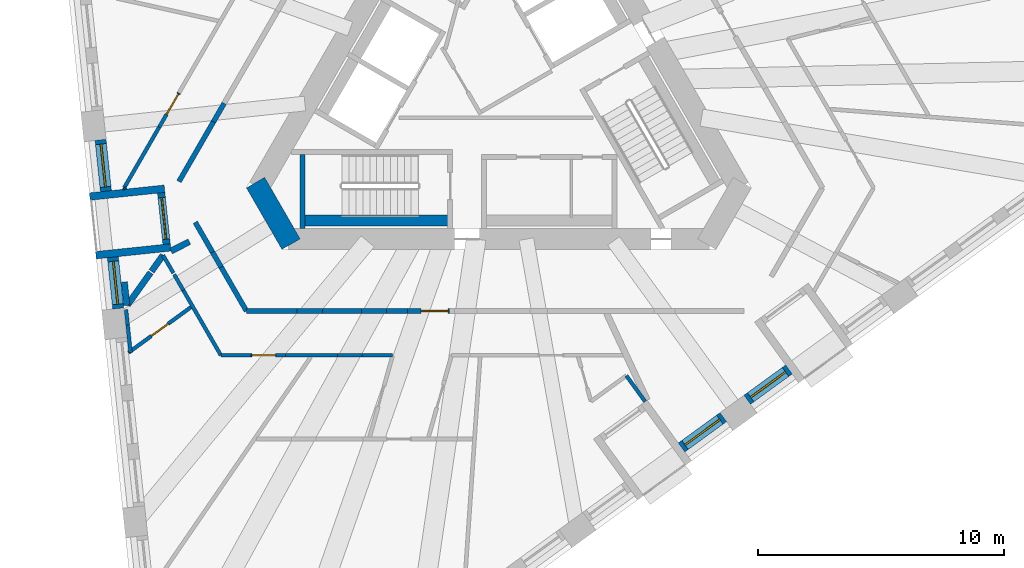
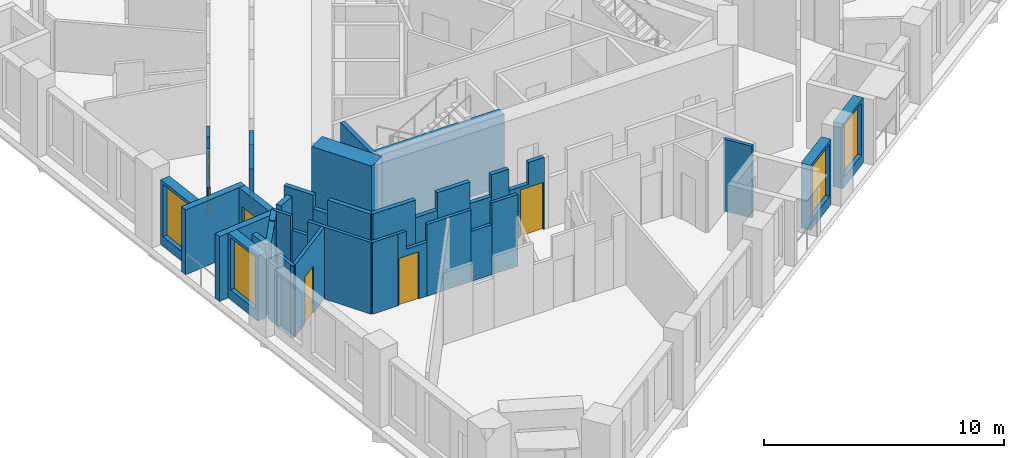
# One storey, part 3 of 14: 40 walls, 5 doors, 4 windows, 9 openings.
"""IFC4 building model written with IfcOpenShell, lengths in metres."""

from ifc_helpers import new_model, si_unit, direction, frame, frame_2d, origin, place, context, subcontext, project, spatial, polyline, rectangle, outline, extrude, material, layer, layer_set, type_object, element, fill, save


model = new_model("IFC4")

# Units and contexts
model_context = context("Model", 3, precision=1e-05, world=origin(), true_north=direction((0.0, 1.0)))
body_context = subcontext(model_context, "Body", "Model", "MODEL_VIEW")
ifc_project = project(units=[si_unit("LENGTHUNIT", "METRE"), si_unit("AREAUNIT", "SQUARE_METRE"), si_unit("VOLUMEUNIT", "CUBIC_METRE"), si_unit("PLANEANGLEUNIT", "RADIAN"), si_unit("MASSUNIT", "GRAM", prefix="KILO")], contexts=[model_context])

# Site, building, storey
site_placement = place(None, origin())
site = spatial("IfcSite", under=ifc_project, at=site_placement, CompositionType="ELEMENT")
building_placement = place(site_placement, origin())
building = spatial("IfcBuilding", under=site, at=building_placement, Name="Tramontana Tower", CompositionType="ELEMENT")
storey_placement = place(building_placement, frame((0.0, 0.0, 178.800048828125)))
storey = spatial("IfcBuildingStorey", under=building, at=storey_placement, Name="L41", CompositionType="ELEMENT", Elevation=178.800048828125)

# Wall
ifc_material_1 = material(Name="Concrete 70 MPa", Category="concrete")
ifc_layer_1 = layer(ifc_material_1, 0.85009765625)
ifc_layer_set_1 = layer_set([ifc_layer_1], Name="Core wall 850 70 MPa")
wall_type_1 = type_object("IfcWallType", Name="Core wall 850 70 MPa", PredefinedType="SHEAR", material=ifc_layer_set_1)
wall_1_placement = place(storey_placement, frame((-9.8798828125, -4.03759765625, 0.0), z_axis=(0.0, 0.0, 1.0), x_axis=(0.499995765644, -0.866027848477, 0.0)))
element("IfcWall", 1, at=wall_1_placement, inside=storey, type_object=wall_type_1, Name="Core wall C2 L41", PredefinedType="SHEAR", context=body_context, shape_type="SweptSolid", body=[
    extrude(rectangle(XDim=2.88671875, YDim=0.85009765625, at=frame_2d((1.443359375, 0.0))), origin(), (0.0, 0.0, 1.0), 4.0),
])

# Wall, opening, door
ifc_material_2 = material(Name="Blockwork", Category="masonry")
ifc_layer_2 = layer(ifc_material_2, 0.199951171875)
ifc_layer_set_2 = layer_set([ifc_layer_2], Name="ENTRY WALL 200")
wall_type_2 = type_object("IfcWallType", Name="ENTRY WALL 200", PredefinedType="SOLIDWALL", material=ifc_layer_set_2)
wall_2_placement = place(storey_placement, frame((-2.009033203125, -9.25, 0.0), z_axis=(0.0, 0.0, 1.0), x_axis=(-1.0, 0.0, 0.0)))
wall_2 = element("IfcWall", 2, at=wall_2_placement, inside=storey, type_object=wall_type_2, Name="Wall v41-ew2-7", PredefinedType="SOLIDWALL", context=body_context, shape_type="SweptSolid", body=[
    extrude(outline(polyline([(0.0, 0.0), (1.7041015625, 0.0), (1.7041015625, 2.550048828125), (0.750732421875, 2.550048828125), (0.750732421875, 3.64990234375), (0.0, 3.64990234375), (0.0, 0.0)])), frame((0.0, 0.10009765625, 0.0), z_axis=(0.0, -1.0, 0.0), x_axis=(1.0, 0.0, 0.0)), (0.0, 0.0, 1.0), 0.199951171875),
])
opening_1_placement = place(wall_2_placement, frame((0.050048828125, 0.0, 0.0)))
opening_1 = element("IfcOpeningElement", 3, at=opening_1_placement, cuts=wall_2, Name="Opening B4B-25", PredefinedType="OPENING", context=body_context, shape_type="SweptSolid", body=[
    extrude(rectangle(XDim=1.10009765625, YDim=2.39990234375, at=frame_2d((0.550048828125, 1.199951171875))), frame((0.0, 0.10986328125, 0.0), z_axis=(0.0, -1.0, 0.0), x_axis=(1.0, 0.0, 0.0)), (0.0, 0.0, 1.0), 0.219970703125),
])
ifc_material_3 = material(Name="Painted timber", Category="wood")
door_type_1 = type_object("IfcDoorType", Name="DOOR ENTRY 1100", OperationType="SINGLE_SWING_LEFT", PredefinedType="DOOR", material=ifc_material_3)
door_1_placement = place(opening_1_placement, origin())
door_1 = element("IfcDoor", 4, at=door_1_placement, inside=storey, type_object=door_type_1, Name="Door B4B-25", OperationType="SINGLE_SWING_LEFT", OverallHeight=2.39990234375, OverallWidth=1.10009765625, PredefinedType="DOOR", context=body_context, shape_type="SweptSolid", body=[
    extrude(rectangle(XDim=1.10009765625, YDim=2.39990234375, at=frame_2d((0.550048828125, 1.199951171875))), frame((0.0, 0.02490234375, 0.0), z_axis=(0.0, -1.0, 0.0), x_axis=(1.0, 0.0, 0.0)), (0.0, 0.0, 1.0), 0.050048828125),
])
fill(opening_1, door_1)

# Walls
wall_3_placement = place(storey_placement, frame((-3.713134765625, -9.25, 0.0), z_axis=(0.0, 0.0, 1.0), x_axis=(-1.0, 0.0, 0.0)))
element("IfcWall", 5, at=wall_3_placement, inside=storey, type_object=wall_type_2, Name="Wall v41-ew2-8", PredefinedType="SOLIDWALL", context=body_context, shape_type="SweptSolid", body=[
    extrude(rectangle(XDim=0.84130859375, YDim=0.199951171875, at=frame_2d((0.420654296875, 0.0))), origin(), (0.0, 0.0, 1.0), 3.64990234375),
])
wall_4_placement = place(storey_placement, frame((-4.554443359375, -9.25, 0.0), z_axis=(0.0, 0.0, 1.0), x_axis=(-1.0, 0.0, 0.0)))
element("IfcWall", 6, at=wall_4_placement, inside=storey, type_object=wall_type_2, Name="Wall v41-ew2-9", PredefinedType="SOLIDWALL", context=body_context, shape_type="SweptSolid", body=[
    extrude(rectangle(XDim=1.026123046875, YDim=0.199951171875, at=frame_2d((0.51318359375, 0.0))), origin(), (0.0, 0.0, 1.0), 2.550048828125),
])
wall_5_placement = place(storey_placement, frame((-5.58056640625, -9.25, 0.0), z_axis=(0.0, 0.0, 1.0), x_axis=(-1.0, 0.0, 0.0)))
element("IfcWall", 7, at=wall_5_placement, inside=storey, type_object=wall_type_2, Name="Wall v41-ew2-10", PredefinedType="SOLIDWALL", context=body_context, shape_type="SweptSolid", body=[
    extrude(rectangle(XDim=1.57177734375, YDim=0.199951171875, at=frame_2d((0.785888671875, 0.0))), origin(), (0.0, 0.0, 1.0), 3.64990234375),
])
wall_6_placement = place(storey_placement, frame((-7.15234375, -9.25, 0.0), z_axis=(0.0, 0.0, 1.0), x_axis=(-1.0, 0.0, 0.0)))
element("IfcWall", 8, at=wall_6_placement, inside=storey, type_object=wall_type_2, Name="Wall v41-ew2-11", PredefinedType="SOLIDWALL", context=body_context, shape_type="SweptSolid", body=[
    extrude(rectangle(XDim=1.039306640625, YDim=0.199951171875, at=frame_2d((0.51953125, 0.0))), origin(), (0.0, 0.0, 1.0), 2.75),
])
wall_7_placement = place(storey_placement, frame((-8.191650390625, -9.25, 0.0), z_axis=(0.0, 0.0, 1.0), x_axis=(-1.0, 0.0, 0.0)))
element("IfcWall", 9, at=wall_7_placement, inside=storey, type_object=wall_type_2, Name="Wall v41-ew2-12", PredefinedType="SOLIDWALL", context=body_context, shape_type="SweptSolid", body=[
    extrude(rectangle(XDim=2.056396484375, YDim=0.199951171875, at=frame_2d((1.0283203125, 0.0))), origin(), (0.0, 0.0, 1.0), 3.64990234375),
])
wall_8_placement = place(storey_placement, frame((-10.248046875, -9.25, 0.0), z_axis=(0.0, 0.0, 1.0), x_axis=(-0.499941542975, 0.866059151333, 0.0)))
element("IfcWall", 10, at=wall_8_placement, inside=storey, type_object=wall_type_2, Name="Wall v41-ew3-0", PredefinedType="SOLIDWALL", context=body_context, shape_type="SweptSolid", body=[
    extrude(rectangle(XDim=2.057861328125, YDim=0.199951171875, at=frame_2d((1.02880859375, 0.0))), origin(), (0.0, 0.0, 1.0), 3.64990234375),
])
wall_9_placement = place(storey_placement, frame((-11.27685546875, -7.4677734375, 0.0), z_axis=(0.0, 0.0, 1.0), x_axis=(-0.50022532796, 0.865895271535, 0.0)))
element("IfcWall", 11, at=wall_9_placement, inside=storey, type_object=wall_type_2, Name="Wall v41-ew3-1", PredefinedType="SOLIDWALL", context=body_context, shape_type="SweptSolid", body=[
    extrude(rectangle(XDim=0.700439453125, YDim=0.199951171875, at=frame_2d((0.35009765625, 0.0))), origin(), (0.0, 0.0, 1.0), 2.949951171875),
])
wall_10_placement = place(storey_placement, frame((-11.627197265625, -6.861328125, 0.0), z_axis=(0.0, 0.0, 1.0), x_axis=(-0.49998411664, 0.866034573852, 0.0)))
element("IfcWall", 12, at=wall_10_placement, inside=storey, type_object=wall_type_2, Name="Wall v41-ew3-2", PredefinedType="SOLIDWALL", context=body_context, shape_type="SweptSolid", body=[
    extrude(rectangle(XDim=1.39990234375, YDim=0.199951171875, at=frame_2d((0.699951171875, 0.0))), origin(), (0.0, 0.0, 1.0), 3.64990234375),
])
wall_11_placement = place(storey_placement, frame((-12.986572265625, -3.993408203125, 0.0), z_axis=(0.0, 0.0, 1.0), x_axis=(0.499976698542, 0.86603885647, 0.0)))
element("IfcWall", 13, at=wall_11_placement, inside=storey, type_object=wall_type_2, Name="Wall v41-ew4-0", PredefinedType="SOLIDWALL", context=body_context, shape_type="SweptSolid", body=[
    extrude(rectangle(XDim=2.798583984375, YDim=0.199951171875, at=frame_2d((1.3994140625, 0.0))), origin(), (0.0, 0.0, 1.0), 3.64990234375),
])
wall_12_placement = place(storey_placement, frame((-11.58740234375, -1.56982421875, 0.0), z_axis=(0.0, 0.0, 1.0), x_axis=(0.500023708017, 0.866011715522, 0.0)))
element("IfcWall", 14, at=wall_12_placement, inside=storey, type_object=wall_type_2, Name="Wall v41-ew4-1", PredefinedType="SOLIDWALL", context=body_context, shape_type="SweptSolid", body=[
    extrude(rectangle(XDim=0.865234375, YDim=0.199951171875, at=frame_2d((0.4326171875, 0.0))), origin(), (0.0, 0.0, 1.0), 2.949951171875),
])

# Wall, opening, window
ifc_material_4 = material(Name="Precast concrete 60 MPa", Category="concrete")
ifc_layer_3 = layer(ifc_material_4, 0.449951171875)
ifc_layer_set_3 = layer_set([ifc_layer_3], Name="Precast concrete 60 MPa, 450 mm")
wall_type_3 = type_object("IfcWallType", Name="EW1 Stone-faced precast wall 450", PredefinedType="SOLIDWALL", material=ifc_layer_set_3)
wall_13_placement = place(storey_placement, frame((-16.1728515625, -2.30322265625, 0.0), z_axis=(0.0, 0.0, 1.0), x_axis=(0.104569484464, -0.994517583011, 0.0)))
wall_13 = element("IfcWall", 15, at=wall_13_placement, inside=storey, type_object=wall_type_3, Name="External wall L41 face 0 bay 4", PredefinedType="SOLIDWALL", context=body_context, shape_type="SweptSolid", body=[
    extrude(rectangle(XDim=2.09423828125, YDim=0.449951171875, at=frame_2d((1.047119140625, 0.0))), origin(), (0.0, 0.0, 1.0), 3.300048828125),
])
opening_2_placement = place(wall_13_placement, frame((0.172119140625, 0.0, 0.5)))
opening_2 = element("IfcOpeningElement", 16, at=opening_2_placement, cuts=wall_13, Name="Opening M2", PredefinedType="OPENING", context=body_context, shape_type="SweptSolid", body=[
    extrude(rectangle(XDim=1.75, YDim=2.64990234375, at=frame_2d((0.875, 1.324951171875))), frame((0.0, 0.23486328125, 0.0), z_axis=(0.0, -1.0, 0.0), x_axis=(1.0, 0.0, 0.0)), (0.0, 0.0, 1.0), 0.469970703125),
])
ifc_material_5 = material(Name="Aluminum frame, double glazing unit", Category="aluminium")
window_type = type_object("IfcWindowType", Name="M2 Window 1.75 x 2.65", PartitioningType="SINGLE_PANEL", PredefinedType="WINDOW", material=ifc_material_5)
window_1_placement = place(opening_2_placement, origin())
window_1 = element("IfcWindow", 17, at=window_1_placement, inside=storey, type_object=window_type, Name="Window M2 L41 face 0 module 10", OverallHeight=2.64990234375, OverallWidth=1.75, PartitioningType="SINGLE_PANEL", PredefinedType="WINDOW", context=body_context, shape_type="SweptSolid", body=[
    extrude(rectangle(XDim=1.75, YDim=2.64990234375, at=frame_2d((0.875, 1.324951171875))), frame((0.0, 0.030029296875, 0.0), z_axis=(0.0, -1.0, 0.0), x_axis=(1.0, 0.0, 0.0)), (0.0, 0.0, 1.0), 0.06005859375),
])
fill(opening_2, window_1)

wall_14_placement = place(storey_placement, frame((-15.67236328125, -7.0654296875, 0.0), z_axis=(0.0, 0.0, 1.0), x_axis=(0.104557362307, -0.994518857532, 0.0)))
wall_14 = element("IfcWall", 18, at=wall_14_placement, inside=storey, type_object=wall_type_3, Name="External wall L41 face 0 bay 4", PredefinedType="SOLIDWALL", context=body_context, shape_type="SweptSolid", body=[
    extrude(rectangle(XDim=2.094482421875, YDim=0.449951171875, at=frame_2d((1.04736328125, 0.0))), origin(), (0.0, 0.0, 1.0), 3.300048828125),
])
opening_3_placement = place(wall_14_placement, frame((0.172119140625, 0.0, 0.5)))
opening_3 = element("IfcOpeningElement", 19, at=opening_3_placement, cuts=wall_14, Name="Opening M2", PredefinedType="OPENING", context=body_context, shape_type="SweptSolid", body=[
    extrude(rectangle(XDim=1.75, YDim=2.64990234375, at=frame_2d((0.875, 1.324951171875))), frame((0.0, 0.23486328125, 0.0), z_axis=(0.0, -1.0, 0.0), x_axis=(1.0, 0.0, 0.0)), (0.0, 0.0, 1.0), 0.469970703125),
])
window_2_placement = place(opening_3_placement, origin())
window_2 = element("IfcWindow", 20, at=window_2_placement, inside=storey, type_object=window_type, Name="Window M2 L41 face 0 module 12", OverallHeight=2.64990234375, OverallWidth=1.75, PartitioningType="SINGLE_PANEL", PredefinedType="WINDOW", context=body_context, shape_type="SweptSolid", body=[
    extrude(rectangle(XDim=1.75, YDim=2.64990234375, at=frame_2d((0.875, 1.324951171875))), frame((0.0, 0.030029296875, 0.0), z_axis=(0.0, -1.0, 0.0), x_axis=(1.0, 0.0, 0.0)), (0.0, 0.0, 1.0), 0.06005859375),
])
fill(opening_3, window_2)

wall_15_placement = place(storey_placement, frame((7.415771484375, -14.790771484375, 0.0), z_axis=(0.0, 0.0, 1.0), x_axis=(0.809028366311, 0.587769599847, 0.0)))
wall_15 = element("IfcWall", 21, at=wall_15_placement, inside=storey, type_object=wall_type_3, Name="External wall L41 face 1 bay 3", PredefinedType="SOLIDWALL", context=body_context, shape_type="SweptSolid", body=[
    extrude(rectangle(XDim=2.09423828125, YDim=0.449951171875, at=frame_2d((1.047119140625, 0.0))), origin(), (0.0, 0.0, 1.0), 3.300048828125),
])
opening_4_placement = place(wall_15_placement, frame((0.172119140625, 0.0, 0.5)))
opening_4 = element("IfcOpeningElement", 22, at=opening_4_placement, cuts=wall_15, Name="Opening M2", PredefinedType="OPENING", context=body_context, shape_type="SweptSolid", body=[
    extrude(rectangle(XDim=1.75, YDim=2.64990234375, at=frame_2d((0.875, 1.324951171875))), frame((0.0, 0.23486328125, 0.0), z_axis=(0.0, -1.0, 0.0), x_axis=(1.0, 0.0, 0.0)), (0.0, 0.0, 1.0), 0.469970703125),
])
window_3_placement = place(opening_4_placement, origin())
window_3 = element("IfcWindow", 23, at=window_3_placement, inside=storey, type_object=window_type, Name="Window M2 L41 face 1 module 9", OverallHeight=2.64990234375, OverallWidth=1.75, PartitioningType="SINGLE_PANEL", PredefinedType="WINDOW", context=body_context, shape_type="SweptSolid", body=[
    extrude(rectangle(XDim=1.75, YDim=2.64990234375, at=frame_2d((0.875, 1.324951171875))), frame((0.0, 0.030029296875, 0.0), z_axis=(0.0, -1.0, 0.0), x_axis=(1.0, 0.0, 0.0)), (0.0, 0.0, 1.0), 0.06005859375),
])
fill(opening_4, window_3)

wall_16_placement = place(storey_placement, frame((10.0810546875, -12.8544921875, 0.0), z_axis=(0.0, 0.0, 1.0), x_axis=(0.809028366311, 0.587769599847, 0.0)))
wall_16 = element("IfcWall", 24, at=wall_16_placement, inside=storey, type_object=wall_type_3, Name="External wall L41 face 1 bay 4", PredefinedType="SOLIDWALL", context=body_context, shape_type="SweptSolid", body=[
    extrude(rectangle(XDim=2.09423828125, YDim=0.449951171875, at=frame_2d((1.047119140625, 0.0))), origin(), (0.0, 0.0, 1.0), 3.300048828125),
])
opening_5_placement = place(wall_16_placement, frame((0.172119140625, 0.0, 0.5)))
opening_5 = element("IfcOpeningElement", 25, at=opening_5_placement, cuts=wall_16, Name="Opening M2", PredefinedType="OPENING", context=body_context, shape_type="SweptSolid", body=[
    extrude(rectangle(XDim=1.75, YDim=2.64990234375, at=frame_2d((0.875, 1.324951171875))), frame((0.0, 0.23486328125, 0.0), z_axis=(0.0, -1.0, 0.0), x_axis=(1.0, 0.0, 0.0)), (0.0, 0.0, 1.0), 0.469970703125),
])
window_4_placement = place(opening_5_placement, origin())
window_4 = element("IfcWindow", 26, at=window_4_placement, inside=storey, type_object=window_type, Name="Window M2 L41 face 1 module 10", OverallHeight=2.64990234375, OverallWidth=1.75, PartitioningType="SINGLE_PANEL", PredefinedType="WINDOW", context=body_context, shape_type="SweptSolid", body=[
    extrude(rectangle(XDim=1.75, YDim=2.64990234375, at=frame_2d((0.875, 1.324951171875))), frame((0.0, 0.030029296875, 0.0), z_axis=(0.0, -1.0, 0.0), x_axis=(1.0, 0.0, 0.0)), (0.0, 0.0, 1.0), 0.06005859375),
])
fill(opening_5, window_4)

# Wall, opening, door
ifc_material_6 = material(Name="Precast concrete 60 MPa", Category="concrete")
ifc_layer_4 = layer(ifc_material_6, 0.300048828125)
ifc_layer_set_4 = layer_set([ifc_layer_4], Name="LW1 Stone-faced loggia wall 300")
wall_type_4 = type_object("IfcWallType", Name="LW1 Stone-faced loggia wall 300", PredefinedType="SOLIDWALL", material=ifc_layer_set_4)
wall_17_placement = place(storey_placement, frame((-13.709716796875, -4.45166015625, 0.0), z_axis=(0.0, 0.0, 1.0), x_axis=(0.104442071108, -0.994530971756, 0.0)))
wall_17 = element("IfcWall", 27, at=wall_17_placement, inside=storey, type_object=wall_type_4, Name="Loggia wall L41 G4S0.10", PredefinedType="SOLIDWALL", context=body_context, shape_type="SweptSolid", body=[
    extrude(rectangle(XDim=2.094482421875, YDim=0.300048828125, at=frame_2d((1.04736328125, 0.0))), origin(), (0.0, 0.0, 1.0), 3.300048828125),
])
opening_6_placement = place(wall_17_placement, frame((0.197265625, 0.0, 0.0)))
opening_6 = element("IfcOpeningElement", 28, at=opening_6_placement, cuts=wall_17, Name="Opening BD-4S0-10", PredefinedType="OPENING", context=body_context, shape_type="SweptSolid", body=[
    extrude(rectangle(XDim=1.699951171875, YDim=2.449951171875, at=frame_2d((0.85009765625, 1.22509765625))), frame((0.0, 0.159912109375, 0.0), z_axis=(0.0, -1.0, 0.0), x_axis=(1.0, 0.0, 0.0)), (0.0, 0.0, 1.0), 0.320068359375),
])
ifc_material_7 = material(Name="Aluminum frame, double glazing unit", Category="aluminium")
door_type_2 = type_object("IfcDoorType", Name="BD2 Sliding door 1.7 x 2.45", OperationType="SLIDING_TO_LEFT", PredefinedType="DOOR", material=ifc_material_7)
door_2_placement = place(opening_6_placement, origin())
door_2 = element("IfcDoor", 29, at=door_2_placement, inside=storey, type_object=door_type_2, Name="Loggia door L41 G4S0.10", OperationType="SLIDING_TO_LEFT", OverallHeight=2.449951171875, OverallWidth=1.699951171875, PredefinedType="DOOR", context=body_context, shape_type="SweptSolid", body=[
    extrude(rectangle(XDim=1.699951171875, YDim=2.449951171875, at=frame_2d((0.85009765625, 1.22509765625))), frame((0.0, 0.02490234375, 0.0), z_axis=(0.0, -1.0, 0.0), x_axis=(1.0, 0.0, 0.0)), (0.0, 0.0, 1.0), 0.050048828125),
])
fill(opening_6, door_2)

# Walls
for number, where, z_axis, x_axis, name in (
    (30, (-16.609619140625, -4.605712890625, 0.0), (0.0, 0.0, 1.0), (0.994521230707, 0.104534786906, 0.0), "Loggia return L41 G4S0.10a"),
    (31, (-16.359375, -6.98681640625, 0.0), (0.0, 0.0, 1.0), (0.994521230707, 0.104534786906, 0.0), "Loggia return L41 G4S0.10b"),
):
    element("IfcWall", number, at=place(storey_placement, frame(where, z_axis=z_axis, x_axis=x_axis)), inside=storey, type_object=wall_type_4, Name=name, PredefinedType="SOLIDWALL", context=body_context, shape_type="SweptSolid", body=[
        extrude(rectangle(XDim=3.050048828125, YDim=0.300048828125, at=frame_2d((1.52490234375, 0.0))), origin(), (0.0, 0.0, 1.0), 3.300048828125),
    ])
ifc_material_8 = material(Name="Gypsum board partition")
ifc_layer_5 = layer(ifc_material_8, 0.14990234375)
ifc_layer_set_5 = layer_set([ifc_layer_5], Name="PARTITION 150")
wall_type_5 = type_object("IfcWallType", Name="PARTITION 150", PredefinedType="PARTITIONING", material=ifc_layer_set_5)
wall_18_placement = place(storey_placement, frame((-15.213134765625, -4.25, 0.0), z_axis=(0.0, 0.0, 1.0), x_axis=(0.50001992892, 0.866013897511, 0.0)))
element("IfcWall", 32, at=wall_18_placement, inside=storey, type_object=wall_type_5, Name="Wall v41-pw02-0", PredefinedType="PARTITIONING", context=body_context, shape_type="SweptSolid", body=[
    extrude(rectangle(XDim=2.841796875, YDim=0.14990234375, at=frame_2d((1.4208984375, 0.0))), origin(), (0.0, 0.0, 1.0), 3.64990234375),
])

# Wall, opening, door
wall_19_placement = place(storey_placement, frame((-13.792236328125, -1.7890625, 0.0), z_axis=(0.0, 0.0, 1.0), x_axis=(0.500011789842, 0.866018596809, 0.0)))
wall_19 = element("IfcWall", 33, at=wall_19_placement, inside=storey, type_object=wall_type_5, Name="Wall v41-pw02-1", PredefinedType="PARTITIONING", context=body_context, shape_type="SweptSolid", body=[
    extrude(outline(polyline([(0.0, 0.0), (1.60693359375, 0.0), (1.60693359375, 3.64990234375), (0.834228515625, 3.64990234375), (0.834228515625, 2.949951171875), (0.0, 2.949951171875), (0.0, 0.0)])), frame((0.0, 0.074951171875, 0.0), z_axis=(0.0, -1.0, 0.0), x_axis=(1.0, 0.0, 0.0)), (0.0, 0.0, 1.0), 0.14990234375),
])
opening_7_placement = place(wall_19_placement, frame((0.60693359375, 0.0, 0.0)))
opening_7 = element("IfcOpeningElement", 34, at=opening_7_placement, cuts=wall_19, Name="Opening B4B-05", PredefinedType="OPENING", context=body_context, shape_type="SweptSolid", body=[
    extrude(rectangle(XDim=0.949951171875, YDim=2.39990234375, at=frame_2d((0.47509765625, 1.199951171875))), frame((0.0, 0.0849609375, 0.0), z_axis=(0.0, -1.0, 0.0), x_axis=(1.0, 0.0, 0.0)), (0.0, 0.0, 1.0), 0.169921875),
])
ifc_material_9 = material(Name="Painted timber", Category="wood")
door_type_3 = type_object("IfcDoorType", Name="DOOR ROOM 950", OperationType="SINGLE_SWING_LEFT", PredefinedType="DOOR", material=ifc_material_9)
door_3_placement = place(opening_7_placement, origin())
door_3 = element("IfcDoor", 35, at=door_3_placement, inside=storey, type_object=door_type_3, Name="Door B4B-05", OperationType="SINGLE_SWING_LEFT", OverallHeight=2.39990234375, OverallWidth=0.949951171875, PredefinedType="DOOR", context=body_context, shape_type="SweptSolid", body=[
    extrude(rectangle(XDim=0.949951171875, YDim=2.39990234375, at=frame_2d((0.47509765625, 1.199951171875))), frame((0.0, 0.02490234375, 0.0), z_axis=(0.0, -1.0, 0.0), x_axis=(1.0, 0.0, 0.0)), (0.0, 0.0, 1.0), 0.050048828125),
])
fill(opening_7, door_3)

# Walls
wall_20_placement = place(storey_placement, frame((-15.181640625, -4.3046875, 0.0), z_axis=(0.0, 0.0, 1.0), x_axis=(-0.499052486836, 0.866571760088, 0.0)))
element("IfcWall", 36, at=wall_20_placement, inside=storey, type_object=wall_type_5, Name="Wall v41-pw03", PredefinedType="PARTITIONING", context=body_context, shape_type="SweptSolid", body=[
    extrude(rectangle(XDim=0.06298828125, YDim=0.14990234375, at=frame_2d((0.031494140625, 0.0))), origin(), (0.0, 0.0, 1.0), 3.64990234375),
])
wall_21_placement = place(storey_placement, frame((-14.9541015625, -10.9326171875, 0.0), z_axis=(0.0, 0.0, 1.0), x_axis=(-0.104479119457, 0.994527080374, 0.0)))
element("IfcWall", 37, at=wall_21_placement, inside=storey, type_object=wall_type_5, Name="Wall v41-pw05-0", PredefinedType="PARTITIONING", context=body_context, shape_type="SweptSolid", body=[
    extrude(rectangle(XDim=1.1123046875, YDim=0.14990234375, at=frame_2d((0.55615234375, 0.0))), origin(), (0.0, 0.0, 1.0), 3.64990234375),
])
wall_22_placement = place(storey_placement, frame((-15.0703125, -9.826416015625, 0.0), z_axis=(0.0, 0.0, 1.0), x_axis=(-0.104785422056, 0.994494854348, 0.0)))
element("IfcWall", 38, at=wall_22_placement, inside=storey, type_object=wall_type_5, Name="Wall v41-pw05-1", PredefinedType="PARTITIONING", context=body_context, shape_type="SweptSolid", body=[
    extrude(rectangle(XDim=0.63134765625, YDim=0.14990234375, at=frame_2d((0.315673828125, 0.0))), origin(), (0.0, 0.0, 1.0), 2.949951171875),
])
wall_23_placement = place(storey_placement, frame((-13.634033203125, -6.985107421875, 0.0), z_axis=(0.0, 0.0, 1.0), x_axis=(0.500009480079, -0.866019930389, 0.0)))
element("IfcWall", 39, at=wall_23_placement, inside=storey, type_object=wall_type_5, Name="Wall v41-pw12", PredefinedType="PARTITIONING", context=body_context, shape_type="SweptSolid", body=[
    extrude(rectangle(XDim=0.83447265625, YDim=0.14990234375, at=frame_2d((0.417236328125, 0.0))), origin(), (0.0, 0.0, 1.0), 3.64990234375),
])

# Wall, opening, door
wall_24_placement = place(storey_placement, frame((-15.03857421875, -10.94140625, 0.0), z_axis=(0.0, 0.0, 1.0), x_axis=(0.808638471979, 0.588305891212, 0.0)))
wall_24 = element("IfcWall", 40, at=wall_24_placement, inside=storey, type_object=wall_type_5, Name="Wall v41-pw14", PredefinedType="PARTITIONING", context=body_context, shape_type="SweptSolid", body=[
    extrude(rectangle(XDim=3.136962890625, YDim=0.14990234375, at=frame_2d((1.568359375, 0.0))), origin(), (0.0, 0.0, 1.0), 3.64990234375),
])
opening_8_placement = place(wall_24_placement, frame((1.1435546875, 0.0, 0.0)))
opening_8 = element("IfcOpeningElement", 41, at=opening_8_placement, cuts=wall_24, Name="Opening B4B-13", PredefinedType="OPENING", context=body_context, shape_type="SweptSolid", body=[
    extrude(rectangle(XDim=0.85009765625, YDim=2.39990234375, at=frame_2d((0.425048828125, 1.199951171875))), frame((0.0, 0.0849609375, 0.0), z_axis=(0.0, -1.0, 0.0), x_axis=(1.0, 0.0, 0.0)), (0.0, 0.0, 1.0), 0.169921875),
])
ifc_material_10 = material(Name="Painted timber", Category="wood")
door_type_4 = type_object("IfcDoorType", Name="DOOR BATH 850", OperationType="SINGLE_SWING_LEFT", PredefinedType="DOOR", material=ifc_material_10)
door_4_placement = place(opening_8_placement, origin())
door_4 = element("IfcDoor", 42, at=door_4_placement, inside=storey, type_object=door_type_4, Name="Door B4B-13", OperationType="SINGLE_SWING_LEFT", OverallHeight=2.39990234375, OverallWidth=0.85009765625, PredefinedType="DOOR", context=body_context, shape_type="SweptSolid", body=[
    extrude(rectangle(XDim=0.85009765625, YDim=2.39990234375, at=frame_2d((0.425048828125, 1.199951171875))), frame((0.0, 0.02490234375, 0.0), z_axis=(0.0, -1.0, 0.0), x_axis=(1.0, 0.0, 0.0)), (0.0, 0.0, 1.0), 0.050048828125),
])
fill(opening_8, door_4)

# Walls
wall_25_placement = place(storey_placement, frame((-11.287109375, -11.050048828125, 0.0), z_axis=(0.0, 0.0, 1.0), x_axis=(-0.500018497585, 0.866014723935, 0.0)))
element("IfcWall", 43, at=wall_25_placement, inside=storey, type_object=wall_type_5, Name="Wall v41-pw17-0", PredefinedType="PARTITIONING", context=body_context, shape_type="SweptSolid", body=[
    extrude(rectangle(XDim=3.0458984375, YDim=0.14990234375, at=frame_2d((1.52294921875, 0.0))), origin(), (0.0, 0.0, 1.0), 3.64990234375),
])
wall_26_placement = place(storey_placement, frame((-12.81005859375, -8.412353515625, 0.0), z_axis=(0.0, 0.0, 1.0), x_axis=(-0.499987686533, 0.866032512851, 0.0)))
element("IfcWall", 44, at=wall_26_placement, inside=storey, type_object=wall_type_5, Name="Wall v41-pw17-1", PredefinedType="PARTITIONING", context=body_context, shape_type="SweptSolid", body=[
    extrude(rectangle(XDim=0.74365234375, YDim=0.14990234375, at=frame_2d((0.371826171875, 0.0))), origin(), (0.0, 0.0, 1.0), 2.949951171875),
])
wall_27_placement = place(storey_placement, frame((-4.3115234375, -11.050048828125, 0.0), z_axis=(0.0, 0.0, 1.0), x_axis=(-1.0, 0.0, 0.0)))
element("IfcWall", 45, at=wall_27_placement, inside=storey, type_object=wall_type_5, Name="Wall v41-pw22-0", PredefinedType="PARTITIONING", context=body_context, shape_type="SweptSolid", body=[
    extrude(rectangle(XDim=1.2431640625, YDim=0.14990234375, at=frame_2d((0.62158203125, 0.0))), origin(), (0.0, 0.0, 1.0), 3.64990234375),
])
wall_28_placement = place(storey_placement, frame((-5.5546875, -11.050048828125, 0.0), z_axis=(0.0, 0.0, 1.0), x_axis=(-1.0, 0.0, 0.0)))
element("IfcWall", 46, at=wall_28_placement, inside=storey, type_object=wall_type_5, Name="Wall v41-pw22-1", PredefinedType="PARTITIONING", context=body_context, shape_type="SweptSolid", body=[
    extrude(rectangle(XDim=0.997802734375, YDim=0.14990234375, at=frame_2d((0.4990234375, 0.0))), origin(), (0.0, 0.0, 1.0), 2.550048828125),
])
wall_29_placement = place(storey_placement, frame((-6.552490234375, -11.050048828125, 0.0), z_axis=(0.0, 0.0, 1.0), x_axis=(-1.0, 0.0, 0.0)))
element("IfcWall", 47, at=wall_29_placement, inside=storey, type_object=wall_type_5, Name="Wall v41-pw22-2", PredefinedType="PARTITIONING", context=body_context, shape_type="SweptSolid", body=[
    extrude(rectangle(XDim=2.109130859375, YDim=0.14990234375, at=frame_2d((1.0546875, 0.0))), origin(), (0.0, 0.0, 1.0), 3.64990234375),
])

# Wall, opening, door
wall_30_placement = place(storey_placement, frame((-8.66162109375, -11.050048828125, 0.0), z_axis=(0.0, 0.0, 1.0), x_axis=(-1.0, 0.0, 0.0)))
wall_30 = element("IfcWall", 48, at=wall_30_placement, inside=storey, type_object=wall_type_5, Name="Wall v41-pw22-3", PredefinedType="PARTITIONING", context=body_context, shape_type="SweptSolid", body=[
    extrude(outline(polyline([(0.0, 0.0), (1.403564453125, 0.0), (1.403564453125, 3.64990234375), (1.0068359375, 3.64990234375), (1.0068359375, 2.75), (0.0, 2.75), (0.0, 0.0)])), frame((0.0, 0.074951171875, 0.0), z_axis=(0.0, -1.0, 0.0), x_axis=(1.0, 0.0, 0.0)), (0.0, 0.0, 1.0), 0.14990234375),
])
opening_9_placement = place(wall_30_placement, frame((0.403564453125, 0.0, 0.0)))
opening_9 = element("IfcOpeningElement", 49, at=opening_9_placement, cuts=wall_30, Name="Opening B4B-11", PredefinedType="OPENING", context=body_context, shape_type="SweptSolid", body=[
    extrude(rectangle(XDim=0.949951171875, YDim=2.39990234375, at=frame_2d((0.47509765625, 1.199951171875))), frame((0.0, 0.0849609375, 0.0), z_axis=(0.0, -1.0, 0.0), x_axis=(1.0, 0.0, 0.0)), (0.0, 0.0, 1.0), 0.169921875),
])
door_5_placement = place(opening_9_placement, origin())
door_5 = element("IfcDoor", 50, at=door_5_placement, inside=storey, type_object=door_type_3, Name="Door B4B-11", OperationType="SINGLE_SWING_LEFT", OverallHeight=2.39990234375, OverallWidth=0.949951171875, PredefinedType="DOOR", context=body_context, shape_type="SweptSolid", body=[
    extrude(rectangle(XDim=0.949951171875, YDim=2.39990234375, at=frame_2d((0.47509765625, 1.199951171875))), frame((0.0, 0.02490234375, 0.0), z_axis=(0.0, -1.0, 0.0), x_axis=(1.0, 0.0, 0.0)), (0.0, 0.0, 1.0), 0.050048828125),
])
fill(opening_9, door_5)

# Walls
wall_31_placement = place(storey_placement, frame((-10.065185546875, -11.050048828125, 0.0), z_axis=(0.0, 0.0, 1.0), x_axis=(-1.0, 0.0, 0.0)))
element("IfcWall", 51, at=wall_31_placement, inside=storey, type_object=wall_type_5, Name="Wall v41-pw22-4", PredefinedType="PARTITIONING", context=body_context, shape_type="SweptSolid", body=[
    extrude(rectangle(XDim=1.221923828125, YDim=0.14990234375, at=frame_2d((0.61083984375, 0.0))), origin(), (0.0, 0.0, 1.0), 3.64990234375),
])
wall_32_placement = place(storey_placement, frame((5.939208984375, -12.927978515625, 0.0), z_axis=(0.0, 0.0, 1.0), x_axis=(-0.58792564669, 0.80891497326, 0.0)))
element("IfcWall", 52, at=wall_32_placement, inside=storey, type_object=wall_type_5, Name="Wall v41-pw37", PredefinedType="PARTITIONING", context=body_context, shape_type="SweptSolid", body=[
    extrude(rectangle(XDim=1.298095703125, YDim=0.14990234375, at=frame_2d((0.64892578125, 0.0))), origin(), (0.0, 0.0, 1.0), 3.64990234375),
])
ifc_material_11 = material(Name="Blockwork", Category="masonry")
ifc_layer_6 = layer(ifc_material_11, 0.25)
ifc_layer_set_6 = layer_set([ifc_layer_6], Name="PARTY WALL 250")
wall_type_6 = type_object("IfcWallType", Name="PARTY WALL 250", PredefinedType="SOLIDWALL", material=ifc_layer_set_6)
wall_33_placement = place(storey_placement, frame((-15.104736328125, -9.02197265625, 0.0), z_axis=(0.0, 0.0, 1.0), x_axis=(-0.104285616795, 0.994547389585, 0.0)))
element("IfcWall", 53, at=wall_33_placement, inside=storey, type_object=wall_type_6, Name="Wall v41-pw04-1", PredefinedType="SOLIDWALL", context=body_context, shape_type="SweptSolid", body=[
    extrude(rectangle(XDim=0.955078125, YDim=0.25, at=frame_2d((0.4775390625, 0.0))), origin(), (0.0, 0.0, 1.0), 3.64990234375),
])
wall_34_placement = place(storey_placement, frame((-14.141357421875, -7.695068359375, 0.0), z_axis=(0.0, 0.0, 1.0), x_axis=(-0.581108947128, -0.813825774701, 0.0)))
element("IfcWall", 54, at=wall_34_placement, inside=storey, type_object=wall_type_6, Name="Wall v41-pw06-0", PredefinedType="SOLIDWALL", context=body_context, shape_type="SweptSolid", body=[
    extrude(rectangle(XDim=1.608154296875, YDim=0.25, at=frame_2d((0.80419921875, 0.0))), origin(), (0.0, 0.0, 1.0), 3.64990234375),
])
wall_35_placement = place(storey_placement, frame((-14.100341796875, -7.63818359375, 0.0), z_axis=(0.0, 0.0, 1.0), x_axis=(0.581094288352, 0.81383624154, 0.0)))
element("IfcWall", 55, at=wall_35_placement, inside=storey, type_object=wall_type_6, Name="Wall v41-pw07", PredefinedType="SOLIDWALL", context=body_context, shape_type="SweptSolid", body=[
    extrude(rectangle(XDim=0.802490234375, YDim=0.25, at=frame_2d((0.4013671875, 0.0))), origin(), (0.0, 0.0, 1.0), 3.64990234375),
])
wall_36_placement = place(storey_placement, frame((-12.5693359375, -6.437744140625, 0.0), z_axis=(0.0, 0.0, 1.0), x_axis=(-0.890104307143, -0.455756867644, 0.0)))
element("IfcWall", 56, at=wall_36_placement, inside=storey, type_object=wall_type_6, Name="Wall v41-pw13", PredefinedType="SOLIDWALL", context=body_context, shape_type="SweptSolid", body=[
    extrude(rectangle(XDim=0.83251953125, YDim=0.25, at=frame_2d((0.416259765625, 0.0))), origin(), (0.0, 0.0, 1.0), 3.64990234375),
])
ifc_material_12 = material(Name="Concrete 70 MPa", Category="concrete")
ifc_layer_7 = layer(ifc_material_12, 0.449951171875)
ifc_layer_set_7 = layer_set([ifc_layer_7], Name="Concrete 70 MPa, 450 mm")
wall_type_7 = type_object("IfcWallType", Name="RC SHAFT BACK WALL 450", PredefinedType="SOLIDWALL", material=ifc_layer_set_7)
wall_37_placement = place(storey_placement, frame((-8.080078125, -5.574951171875, 0.0), z_axis=(0.0, 0.0, 1.0), x_axis=(1.0, 0.0, 0.0)))
element("IfcWall", 57, at=wall_37_placement, inside=storey, type_object=wall_type_7, Name="Wall st2-back", PredefinedType="SOLIDWALL", context=body_context, shape_type="SweptSolid", body=[
    extrude(rectangle(XDim=6.2001953125, YDim=0.449951171875, at=frame_2d((3.10009765625, 0.0))), origin(), (0.0, 0.0, 1.0), 3.64990234375),
])
ifc_material_13 = material(Name="Concrete 70 MPa", Category="concrete")
ifc_layer_8 = layer(ifc_material_13, 0.199951171875)
ifc_layer_set_8 = layer_set([ifc_layer_8], Name="Concrete 70 MPa, 200 mm")
wall_type_8 = type_object("IfcWallType", Name="RC STAIR AND SHAFT WALL 200", PredefinedType="SOLIDWALL", material=ifc_layer_set_8)
wall_38_placement = place(storey_placement, frame((-7.97998046875, -2.89990234375, 0.0), z_axis=(0.0, 0.0, 1.0), x_axis=(0.0, -1.0, 0.0)))
element("IfcWall", 58, at=wall_38_placement, inside=storey, type_object=wall_type_8, Name="Wall st2-far", PredefinedType="SOLIDWALL", context=body_context, shape_type="SweptSolid", body=[
    extrude(rectangle(XDim=3.0, YDim=0.199951171875, at=frame_2d((1.5, 0.0))), origin(), (0.0, 0.0, 1.0), 3.64990234375),
])

save(model, "model.ifc")
